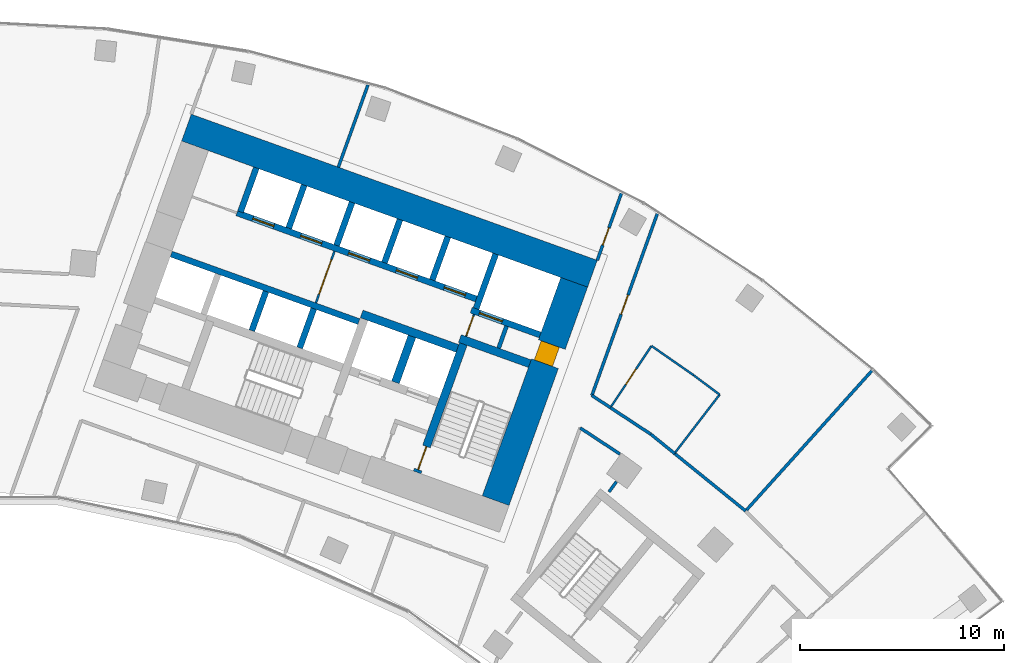
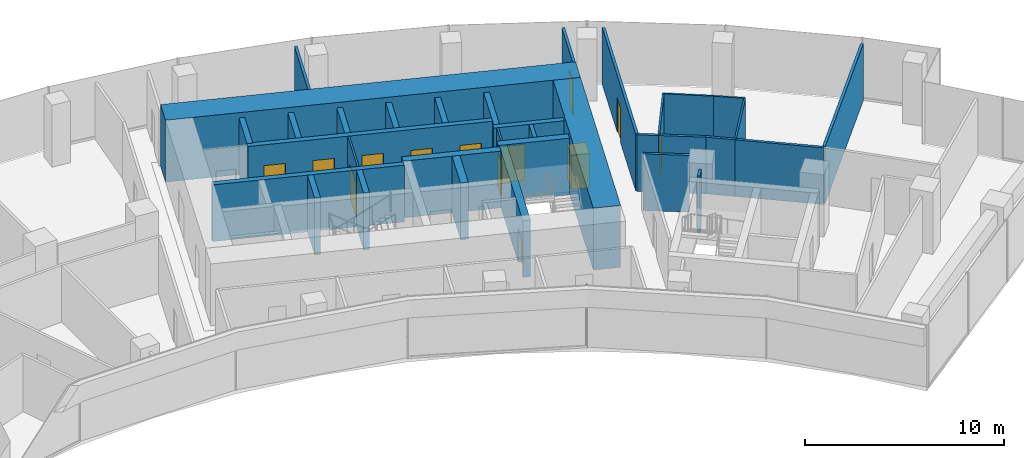
# One storey, part 17 of 20: 34 walls, 13 doors, 13 openings.
"""IFC4 building model written with IfcOpenShell, lengths in metres."""

from ifc_helpers import new_model, si_unit, direction, frame, frame_2d, origin, place, context, subcontext, project, spatial, rectangle, extrude, material, layer, layer_set, type_object, element, fill, save


model = new_model("IFC4")

# Units and contexts
model_context = context("Model", 3, precision=1e-05, world=origin(), true_north=direction((0.0, 1.0)))
body_context = subcontext(model_context, "Body", "Model", "MODEL_VIEW")
ifc_project = project(units=[si_unit("LENGTHUNIT", "METRE"), si_unit("AREAUNIT", "SQUARE_METRE"), si_unit("VOLUMEUNIT", "CUBIC_METRE"), si_unit("PLANEANGLEUNIT", "RADIAN"), si_unit("MASSUNIT", "GRAM", prefix="KILO")], contexts=[model_context])

# Site, building, storey
site_placement = place(None, origin())
site = spatial("IfcSite", under=ifc_project, at=site_placement, CompositionType="ELEMENT")
building_placement = place(site_placement, origin())
building = spatial("IfcBuilding", under=site, at=building_placement, Name="Stone Belt Terrace Tower", CompositionType="ELEMENT")
storey_placement = place(building_placement, frame((0.0, 0.0, 147.800048828125)))
storey = spatial("IfcBuildingStorey", under=building, at=storey_placement, Name="L35", CompositionType="ELEMENT", Elevation=147.800048828125)

# Wall, opening, door
ifc_material_1 = material(Name="Plasterboard partition")
ifc_layer_1 = layer(ifc_material_1, 0.10009765625)
ifc_layer_set_1 = layer_set([ifc_layer_1], Name="Core partition 100")
wall_type_1 = type_object("IfcWallType", Name="Core partition 100", PredefinedType="PARTITIONING", material=ifc_layer_set_1)
wall_1_placement = place(storey_placement, frame((24.555908203125, 51.10400390625, 0.0), z_axis=(0.0, 0.0, 1.0), x_axis=(0.338621735342, 0.94092258999, 0.0)))
wall_1 = element("IfcWall", 1, at=wall_1_placement, inside=storey, type_object=wall_type_1, Name="Core B wall", PredefinedType="PARTITIONING", context=body_context, shape_type="SweptSolid", body=[
    extrude(rectangle(XDim=1.14990234375, YDim=0.10009765625, at=frame_2d((0.574951171875, 0.0))), origin(), (0.0, 0.0, 1.0), 3.47998046875),
])
opening_1_placement = place(wall_1_placement, frame((0.050048828125, 0.0, 0.0)))
opening_1 = element("IfcOpeningElement", 2, at=opening_1_placement, cuts=wall_1, Name="Opening L35-C15", PredefinedType="OPENING", context=body_context, shape_type="SweptSolid", body=[
    extrude(rectangle(XDim=1.0, YDim=2.10009765625, at=frame_2d((0.5, 1.050048828125))), frame((0.0, 0.06005859375, 0.0), z_axis=(0.0, -1.0, 0.0), x_axis=(1.0, 0.0, 0.0)), (0.0, 0.0, 1.0), 0.1201171875),
])
ifc_material_2 = material(Name="Timber door leaf", Category="wood")
door_type_1 = type_object("IfcDoorType", Name="Core room door 1000", OperationType="SINGLE_SWING_LEFT", PredefinedType="DOOR", material=ifc_material_2)
door_1_placement = place(opening_1_placement, origin())
door_1 = element("IfcDoor", 3, at=door_1_placement, inside=storey, type_object=door_type_1, Name="Service lift lobby door core B", OperationType="SINGLE_SWING_RIGHT", OverallHeight=2.10009765625, OverallWidth=1.0, PredefinedType="DOOR", context=body_context, shape_type="SweptSolid", body=[
    extrude(rectangle(XDim=1.0, YDim=2.10009765625, at=frame_2d((0.5, 1.050048828125))), frame((0.0, 0.02490234375, 0.0), z_axis=(0.0, -1.0, 0.0), x_axis=(1.0, 0.0, 0.0)), (0.0, 0.0, 1.0), 0.050048828125),
])
fill(opening_1, door_1)

wall_2_placement = place(storey_placement, frame((17.17724609375, 52.749755859375, 0.0), z_axis=(0.0, 0.0, 1.0), x_axis=(0.338546555931, 0.940949642365, 0.0)))
wall_2 = element("IfcWall", 4, at=wall_2_placement, inside=storey, type_object=wall_type_1, Name="Core B wall", PredefinedType="PARTITIONING", context=body_context, shape_type="SweptSolid", body=[
    extrude(rectangle(XDim=2.699951171875, YDim=0.10009765625, at=frame_2d((1.35009765625, 0.0))), origin(), (0.0, 0.0, 1.0), 3.47998046875),
])
opening_2_placement = place(wall_2_placement, frame((0.449951171875, 0.0, 0.0)))
opening_2 = element("IfcOpeningElement", 5, at=opening_2_placement, cuts=wall_2, Name="Opening L35-C16", PredefinedType="OPENING", context=body_context, shape_type="SweptSolid", body=[
    extrude(rectangle(XDim=1.800048828125, YDim=2.10009765625, at=frame_2d((0.89990234375, 1.050048828125))), frame((0.0, 0.06005859375, 0.0), z_axis=(0.0, -1.0, 0.0), x_axis=(1.0, 0.0, 0.0)), (0.0, 0.0, 1.0), 0.1201171875),
])
ifc_material_3 = material(Name="Glazed aluminium door leaf", Category="aluminium")
door_type_2 = type_object("IfcDoorType", Name="Lift lobby entrance door 1800", OperationType="DOUBLE_DOOR_SINGLE_SWING", PredefinedType="DOOR", material=ifc_material_3)
door_2_placement = place(opening_2_placement, origin())
door_2 = element("IfcDoor", 6, at=door_2_placement, inside=storey, type_object=door_type_2, Name="Lift lobby double door core B", OperationType="DOUBLE_DOOR_SINGLE_SWING", OverallHeight=2.10009765625, OverallWidth=1.800048828125, PredefinedType="DOOR", context=body_context, shape_type="SweptSolid", body=[
    extrude(rectangle(XDim=1.800048828125, YDim=2.10009765625, at=frame_2d((0.89990234375, 1.050048828125))), frame((0.0, 0.02490234375, 0.0), z_axis=(0.0, -1.0, 0.0), x_axis=(1.0, 0.0, 0.0)), (0.0, 0.0, 1.0), 0.050048828125),
])
fill(opening_2, door_2)

# Wall
ifc_material_4 = material(Name="Concrete B80", Category="concrete")
ifc_layer_2 = layer(ifc_material_4, 1.39990234375)
ifc_layer_set_2 = layer_set([ifc_layer_2], Name="Core wall 1400 B80")
wall_type_2 = type_object("IfcWallType", Name="Core wall 1400 B80", PredefinedType="SHEAR", material=ifc_layer_set_2)
wall_3_placement = place(storey_placement, frame((10.81787109375, 61.362060546875, 0.0), z_axis=(0.0, 0.0, 1.0), x_axis=(0.940919704758, -0.338629752382, 0.0)))
element("IfcWall", 7, at=wall_3_placement, inside=storey, type_object=wall_type_2, Name="Core B wall convex L35", PredefinedType="SHEAR", context=body_context, shape_type="SweptSolid", body=[
    extrude(rectangle(XDim=21.199951171875, YDim=1.39990234375, at=frame_2d((10.60009765625, 0.0))), origin(), (0.0, 0.0, 1.0), 3.800048828125),
])

# Wall, opening, door
wall_4_placement = place(storey_placement, frame((26.00927734375, 43.03515625, 0.0), z_axis=(0.0, 0.0, 1.0), x_axis=(0.338625431531, 0.940921259788, 0.0)))
wall_4 = element("IfcWall", 8, at=wall_4_placement, inside=storey, type_object=wall_type_2, Name="Core B wall end_b L35", PredefinedType="SHEAR", context=body_context, shape_type="SweptSolid", body=[
    extrude(rectangle(XDim=11.400146484375, YDim=1.39990234375, at=frame_2d((5.7001953125, 0.0))), origin(), (0.0, 0.0, 1.0), 3.800048828125),
])
opening_3_placement = place(wall_4_placement, frame((7.14990234375, 0.0, 0.0)))
opening_3 = element("IfcOpeningElement", 9, at=opening_3_placement, cuts=wall_4, Name="Opening L35-C14", PredefinedType="OPENING", context=body_context, shape_type="SweptSolid", body=[
    extrude(rectangle(XDim=1.0, YDim=2.10009765625, at=frame_2d((0.5, 1.050048828125))), frame((0.0, 0.7099609375, 0.0), z_axis=(0.0, -1.0, 0.0), x_axis=(1.0, 0.0, 0.0)), (0.0, 0.0, 1.0), 1.419921875),
])
door_3_placement = place(opening_3_placement, origin())
door_3 = element("IfcDoor", 10, at=door_3_placement, inside=storey, type_object=door_type_1, Name="Door to Telecommunications riser room core B", OperationType="SINGLE_SWING_LEFT", OverallHeight=2.10009765625, OverallWidth=1.0, PredefinedType="DOOR", context=body_context, shape_type="SweptSolid", body=[
    extrude(rectangle(XDim=1.0, YDim=2.10009765625, at=frame_2d((0.5, 1.050048828125))), frame((0.0, 0.55517578125, 0.0), z_axis=(0.0, -1.0, 0.0), x_axis=(1.0, 0.0, 0.0)), (0.0, 0.0, 1.0), 0.949951171875),
])
fill(opening_3, door_3)

# Walls
ifc_layer_3 = layer(ifc_material_4, 0.39990234375)
ifc_layer_set_3 = layer_set([ifc_layer_3], Name="Fire-fighting lift shaft wall 400")
wall_type_3 = type_object("IfcWallType", Name="Fire-fighting lift shaft wall 400", PredefinedType="SHEAR", material=ifc_layer_set_3)
wall_5_placement = place(storey_placement, frame((24.130615234375, 50.512939453125, 0.0), z_axis=(0.0, 0.0, 1.0), x_axis=(-0.94091168377, 0.338652038744, 0.0)))
element("IfcWall", 11, at=wall_5_placement, inside=storey, type_object=wall_type_3, Name="Core B wall", PredefinedType="SHEAR", context=body_context, shape_type="SweptSolid", body=[
    extrude(rectangle(XDim=5.000244140625, YDim=0.39990234375, at=frame_2d((2.5, 0.0))), origin(), (0.0, 0.0, 1.0), 3.47998046875),
])
wall_6_placement = place(storey_placement, frame((21.0859375, 48.845458984375, 0.0), z_axis=(0.0, 0.0, 1.0), x_axis=(0.338629416206, 0.940919825745, 0.0)))
element("IfcWall", 12, at=wall_6_placement, inside=storey, type_object=wall_type_3, Name="Core B wall", PredefinedType="SHEAR", context=body_context, shape_type="SweptSolid", body=[
    extrude(rectangle(XDim=2.400146484375, YDim=0.39990234375, at=frame_2d((1.2001953125, 0.0))), origin(), (0.0, 0.0, 1.0), 3.47998046875),
])

# Wall, opening, door
ifc_layer_4 = layer(ifc_material_4, 0.300048828125)
ifc_layer_set_4 = layer_set([ifc_layer_4], Name="Lift shaft wall 300")
wall_type_4 = type_object("IfcWallType", Name="Lift shaft wall 300", PredefinedType="SHEAR", material=ifc_layer_set_4)
wall_7_placement = place(storey_placement, frame((28.195068359375, 51.17578125, 0.0), z_axis=(0.0, 0.0, 1.0), x_axis=(-0.940901243567, 0.338681044427, 0.0)))
wall_7 = element("IfcWall", 13, at=wall_7_placement, inside=storey, type_object=wall_type_4, Name="Core B wall", PredefinedType="SHEAR", context=body_context, shape_type="SweptSolid", body=[
    extrude(rectangle(XDim=3.599853515625, YDim=0.300048828125, at=frame_2d((1.7998046875, 0.0))), origin(), (0.0, 0.0, 1.0), 3.47998046875),
])
opening_4_placement = place(wall_7_placement, frame((1.969970703125, 0.0, 0.0)))
opening_4 = element("IfcOpeningElement", 14, at=opening_4_placement, cuts=wall_7, Name="Opening L35-LD16", PredefinedType="OPENING", context=body_context, shape_type="SweptSolid", body=[
    extrude(rectangle(XDim=1.199951171875, YDim=2.199951171875, at=frame_2d((0.60009765625, 1.10009765625))), frame((0.0, 0.159912109375, 0.0), z_axis=(0.0, -1.0, 0.0), x_axis=(1.0, 0.0, 0.0)), (0.0, 0.0, 1.0), 0.320068359375),
])
ifc_material_5 = material(Name="Stainless steel door leaf", Category="steel")
door_type_3 = type_object("IfcDoorType", Name="Landing door 1200", OperationType="SLIDING_TO_LEFT", PredefinedType="DOOR", material=ifc_material_5)
door_4_placement = place(opening_4_placement, origin())
door_4 = element("IfcDoor", 15, at=door_4_placement, inside=storey, type_object=door_type_3, Name="Landing door SV1 core B", OperationType="SLIDING_TO_LEFT", OverallHeight=2.199951171875, OverallWidth=1.199951171875, PredefinedType="DOOR", context=body_context, shape_type="SweptSolid", body=[
    extrude(rectangle(XDim=1.199951171875, YDim=2.199951171875, at=frame_2d((0.60009765625, 1.10009765625))), frame((0.0, 0.02490234375, 0.0), z_axis=(0.0, -1.0, 0.0), x_axis=(1.0, 0.0, 0.0)), (0.0, 0.0, 1.0), 0.050048828125),
])
fill(opening_4, door_4)

# Wall
wall_8_placement = place(storey_placement, frame((25.046875, 52.46826171875, 0.0), z_axis=(0.0, 0.0, 1.0), x_axis=(0.338549588058, 0.940948551423, 0.0)))
element("IfcWall", 16, at=wall_8_placement, inside=storey, type_object=wall_type_4, Name="Core B wall", PredefinedType="SHEAR", context=body_context, shape_type="SweptSolid", body=[
    extrude(rectangle(XDim=2.849853515625, YDim=0.300048828125, at=frame_2d((1.4248046875, 0.0))), origin(), (0.0, 0.0, 1.0), 3.47998046875),
])

# Wall, openings, doors
wall_9_placement = place(storey_placement, frame((25.05810546875, 52.9423828125, 0.0), z_axis=(0.0, 0.0, 1.0), x_axis=(-0.940920770291, 0.338626791666, 0.0)))
wall_9 = element("IfcWall", 17, at=wall_9_placement, inside=storey, type_object=wall_type_4, Name="Core B wall", PredefinedType="SHEAR", context=body_context, shape_type="SweptSolid", body=[
    extrude(rectangle(XDim=12.500244140625, YDim=0.300048828125, at=frame_2d((6.25, 0.0))), origin(), (0.0, 0.0, 1.0), 3.47998046875),
])
opening_5_placement = place(wall_9_placement, frame((0.570068359375, 0.0, 0.0)))
opening_5 = element("IfcOpeningElement", 18, at=opening_5_placement, cuts=wall_9, Name="Opening L35-LD09", PredefinedType="OPENING", context=body_context, shape_type="SweptSolid", body=[
    extrude(rectangle(XDim=1.10009765625, YDim=2.199951171875, at=frame_2d((0.550048828125, 1.10009765625))), frame((0.0, 0.159912109375, 0.0), z_axis=(0.0, -1.0, 0.0), x_axis=(1.0, 0.0, 0.0)), (0.0, 0.0, 1.0), 0.320068359375),
])
opening_6_placement = place(wall_9_placement, frame((3.070068359375, 0.0, 0.0)))
opening_6 = element("IfcOpeningElement", 19, at=opening_6_placement, cuts=wall_9, Name="Opening L35-LD10", PredefinedType="OPENING", context=body_context, shape_type="SweptSolid", body=[
    extrude(rectangle(XDim=1.10009765625, YDim=2.199951171875, at=frame_2d((0.550048828125, 1.10009765625))), frame((0.0, 0.159912109375, 0.0), z_axis=(0.0, -1.0, 0.0), x_axis=(1.0, 0.0, 0.0)), (0.0, 0.0, 1.0), 0.320068359375),
])
opening_7_placement = place(wall_9_placement, frame((5.570068359375, 0.0, 0.0)))
opening_7 = element("IfcOpeningElement", 20, at=opening_7_placement, cuts=wall_9, Name="Opening L35-LD11", PredefinedType="OPENING", context=body_context, shape_type="SweptSolid", body=[
    extrude(rectangle(XDim=1.10009765625, YDim=2.199951171875, at=frame_2d((0.550048828125, 1.10009765625))), frame((0.0, 0.159912109375, 0.0), z_axis=(0.0, -1.0, 0.0), x_axis=(1.0, 0.0, 0.0)), (0.0, 0.0, 1.0), 0.320068359375),
])
opening_8_placement = place(wall_9_placement, frame((8.070068359375, 0.0, 0.0)))
opening_8 = element("IfcOpeningElement", 21, at=opening_8_placement, cuts=wall_9, Name="Opening L35-LD12", PredefinedType="OPENING", context=body_context, shape_type="SweptSolid", body=[
    extrude(rectangle(XDim=1.10009765625, YDim=2.199951171875, at=frame_2d((0.550048828125, 1.10009765625))), frame((0.0, 0.159912109375, 0.0), z_axis=(0.0, -1.0, 0.0), x_axis=(1.0, 0.0, 0.0)), (0.0, 0.0, 1.0), 0.320068359375),
])
opening_9_placement = place(wall_9_placement, frame((10.570068359375, 0.0, 0.0)))
opening_9 = element("IfcOpeningElement", 22, at=opening_9_placement, cuts=wall_9, Name="Opening L35-LD13", PredefinedType="OPENING", context=body_context, shape_type="SweptSolid", body=[
    extrude(rectangle(XDim=1.10009765625, YDim=2.199951171875, at=frame_2d((0.550048828125, 1.10009765625))), frame((0.0, 0.159912109375, 0.0), z_axis=(0.0, -1.0, 0.0), x_axis=(1.0, 0.0, 0.0)), (0.0, 0.0, 1.0), 0.320068359375),
])
door_type_4 = type_object("IfcDoorType", Name="Landing door 1100", OperationType="SLIDING_TO_LEFT", PredefinedType="DOOR", material=ifc_material_5)
door_5_placement = place(opening_5_placement, origin())
door_5 = element("IfcDoor", 23, at=door_5_placement, inside=storey, type_object=door_type_4, Name="Landing door MR1 core B", OperationType="SLIDING_TO_LEFT", OverallHeight=2.199951171875, OverallWidth=1.10009765625, PredefinedType="DOOR", context=body_context, shape_type="SweptSolid", body=[
    extrude(rectangle(XDim=1.10009765625, YDim=2.199951171875, at=frame_2d((0.550048828125, 1.10009765625))), frame((0.0, 0.02490234375, 0.0), z_axis=(0.0, -1.0, 0.0), x_axis=(1.0, 0.0, 0.0)), (0.0, 0.0, 1.0), 0.050048828125),
])
fill(opening_5, door_5)
door_6_placement = place(opening_6_placement, origin())
door_6 = element("IfcDoor", 24, at=door_6_placement, inside=storey, type_object=door_type_4, Name="Landing door MR2 core B", OperationType="SLIDING_TO_LEFT", OverallHeight=2.199951171875, OverallWidth=1.10009765625, PredefinedType="DOOR", context=body_context, shape_type="SweptSolid", body=[
    extrude(rectangle(XDim=1.10009765625, YDim=2.199951171875, at=frame_2d((0.550048828125, 1.10009765625))), frame((0.0, 0.02490234375, 0.0), z_axis=(0.0, -1.0, 0.0), x_axis=(1.0, 0.0, 0.0)), (0.0, 0.0, 1.0), 0.050048828125),
])
fill(opening_6, door_6)
door_7_placement = place(opening_7_placement, origin())
door_7 = element("IfcDoor", 25, at=door_7_placement, inside=storey, type_object=door_type_4, Name="Landing door MR3 core B", OperationType="SLIDING_TO_LEFT", OverallHeight=2.199951171875, OverallWidth=1.10009765625, PredefinedType="DOOR", context=body_context, shape_type="SweptSolid", body=[
    extrude(rectangle(XDim=1.10009765625, YDim=2.199951171875, at=frame_2d((0.550048828125, 1.10009765625))), frame((0.0, 0.02490234375, 0.0), z_axis=(0.0, -1.0, 0.0), x_axis=(1.0, 0.0, 0.0)), (0.0, 0.0, 1.0), 0.050048828125),
])
fill(opening_7, door_7)
door_8_placement = place(opening_8_placement, origin())
door_8 = element("IfcDoor", 26, at=door_8_placement, inside=storey, type_object=door_type_4, Name="Landing door MR4 core B", OperationType="SLIDING_TO_LEFT", OverallHeight=2.199951171875, OverallWidth=1.10009765625, PredefinedType="DOOR", context=body_context, shape_type="SweptSolid", body=[
    extrude(rectangle(XDim=1.10009765625, YDim=2.199951171875, at=frame_2d((0.550048828125, 1.10009765625))), frame((0.0, 0.02490234375, 0.0), z_axis=(0.0, -1.0, 0.0), x_axis=(1.0, 0.0, 0.0)), (0.0, 0.0, 1.0), 0.050048828125),
])
fill(opening_8, door_8)
door_9_placement = place(opening_9_placement, origin())
door_9 = element("IfcDoor", 27, at=door_9_placement, inside=storey, type_object=door_type_4, Name="Landing door MR5 core B", OperationType="SLIDING_TO_LEFT", OverallHeight=2.199951171875, OverallWidth=1.10009765625, PredefinedType="DOOR", context=body_context, shape_type="SweptSolid", body=[
    extrude(rectangle(XDim=1.10009765625, YDim=2.199951171875, at=frame_2d((0.550048828125, 1.10009765625))), frame((0.0, 0.02490234375, 0.0), z_axis=(0.0, -1.0, 0.0), x_axis=(1.0, 0.0, 0.0)), (0.0, 0.0, 1.0), 0.050048828125),
])
fill(opening_9, door_9)

# Walls
wall_10_placement = place(storey_placement, frame((22.897705078125, 53.87939453125, 0.0), z_axis=(0.0, 0.0, 1.0), x_axis=(0.338535034312, 0.940953787677, 0.0)))
element("IfcWall", 28, at=wall_10_placement, inside=storey, type_object=wall_type_4, Name="Core B wall", PredefinedType="SHEAR", context=body_context, shape_type="SweptSolid", body=[
    extrude(rectangle(XDim=2.25, YDim=0.300048828125, at=frame_2d((1.125, 0.0))), origin(), (0.0, 0.0, 1.0), 3.47998046875),
])
wall_11_placement = place(storey_placement, frame((19.29052734375, 51.829833984375, 0.0), z_axis=(0.0, 0.0, 1.0), x_axis=(-0.940925833398, 0.338612722803, 0.0)))
element("IfcWall", 29, at=wall_11_placement, inside=storey, type_object=wall_type_4, Name="Core B wall", PredefinedType="SHEAR", context=body_context, shape_type="SweptSolid", body=[
    extrude(rectangle(XDim=9.7998046875, YDim=0.300048828125, at=frame_2d((4.89990234375, 0.0))), origin(), (0.0, 0.0, 1.0), 3.47998046875),
])
wall_12_placement = place(storey_placement, frame((20.54541015625, 54.72607421875, 0.0), z_axis=(0.0, 0.0, 1.0), x_axis=(0.338569601369, 0.940941350472, 0.0)))
element("IfcWall", 30, at=wall_12_placement, inside=storey, type_object=wall_type_4, Name="Core B wall", PredefinedType="SHEAR", context=body_context, shape_type="SweptSolid", body=[
    extrude(rectangle(XDim=2.249755859375, YDim=0.300048828125, at=frame_2d((1.125, 0.0))), origin(), (0.0, 0.0, 1.0), 3.47998046875),
])
wall_13_placement = place(storey_placement, frame((16.38134765625, 50.53857421875, 0.0), z_axis=(0.0, 0.0, 1.0), x_axis=(0.338681515556, 0.940901073982, 0.0)))
element("IfcWall", 31, at=wall_13_placement, inside=storey, type_object=wall_type_4, Name="Core B wall", PredefinedType="SHEAR", context=body_context, shape_type="SweptSolid", body=[
    extrude(rectangle(XDim=2.050048828125, YDim=0.300048828125, at=frame_2d((1.02490234375, 0.0))), origin(), (0.0, 0.0, 1.0), 3.47998046875),
])
wall_14_placement = place(storey_placement, frame((18.193115234375, 55.572509765625, 0.0), z_axis=(0.0, 0.0, 1.0), x_axis=(0.338535034312, 0.940953787677, 0.0)))
element("IfcWall", 32, at=wall_14_placement, inside=storey, type_object=wall_type_4, Name="Core B wall", PredefinedType="SHEAR", context=body_context, shape_type="SweptSolid", body=[
    extrude(rectangle(XDim=2.25, YDim=0.300048828125, at=frame_2d((1.125, 0.0))), origin(), (0.0, 0.0, 1.0), 3.47998046875),
])
wall_15_placement = place(storey_placement, frame((14.029052734375, 51.38525390625, 0.0), z_axis=(0.0, 0.0, 1.0), x_axis=(0.338681515556, 0.940901073982, 0.0)))
element("IfcWall", 33, at=wall_15_placement, inside=storey, type_object=wall_type_4, Name="Core B wall", PredefinedType="SHEAR", context=body_context, shape_type="SweptSolid", body=[
    extrude(rectangle(XDim=2.050048828125, YDim=0.300048828125, at=frame_2d((1.02490234375, 0.0))), origin(), (0.0, 0.0, 1.0), 3.47998046875),
])
wall_16_placement = place(storey_placement, frame((15.8408203125, 56.419189453125, 0.0), z_axis=(0.0, 0.0, 1.0), x_axis=(0.338569601369, 0.940941350472, 0.0)))
element("IfcWall", 34, at=wall_16_placement, inside=storey, type_object=wall_type_4, Name="Core B wall", PredefinedType="SHEAR", context=body_context, shape_type="SweptSolid", body=[
    extrude(rectangle(XDim=2.249755859375, YDim=0.300048828125, at=frame_2d((1.125, 0.0))), origin(), (0.0, 0.0, 1.0), 3.47998046875),
])
wall_17_placement = place(storey_placement, frame((13.471435546875, 57.218505859375, 0.0), z_axis=(0.0, 0.0, 1.0), x_axis=(0.338587917, 0.940934759939, 0.0)))
element("IfcWall", 35, at=wall_17_placement, inside=storey, type_object=wall_type_4, Name="Core B wall", PredefinedType="SHEAR", context=body_context, shape_type="SweptSolid", body=[
    extrude(rectangle(XDim=2.300048828125, YDim=0.300048828125, at=frame_2d((1.14990234375, 0.0))), origin(), (0.0, 0.0, 1.0), 3.47998046875),
])
ifc_material_6 = material(Name="Gypsum board partition")
ifc_layer_5 = layer(ifc_material_6, 0.10009765625)
ifc_layer_set_5 = layer_set([ifc_layer_5], Name="PARTITION 100")
wall_type_5 = type_object("IfcWallType", Name="PARTITION 100", PredefinedType="PARTITIONING", material=ifc_layer_set_5)
wall_18_placement = place(storey_placement, frame((34.797119140625, 45.35595703125, 0.0), z_axis=(0.0, 0.0, 1.0), x_axis=(0.608731416363, 0.793376368902, 0.0)))
element("IfcWall", 36, at=wall_18_placement, inside=storey, type_object=wall_type_5, Name="L35/wall/i075", PredefinedType="PARTITIONING", context=body_context, shape_type="SweptSolid", body=[
    extrude(rectangle(XDim=3.64013671875, YDim=0.10009765625, at=frame_2d((1.820068359375, 0.0))), origin(), (0.0, 0.0, 1.0), 3.47998046875),
])
wall_19_placement = place(storey_placement, frame((37.012939453125, 48.243896484375, 0.0), z_axis=(0.0, 0.0, 1.0), x_axis=(-0.801142595799, 0.598473509185, 0.0)))
element("IfcWall", 37, at=wall_19_placement, inside=storey, type_object=wall_type_5, Name="L35/wall/i076", PredefinedType="PARTITIONING", context=body_context, shape_type="SweptSolid", body=[
    extrude(rectangle(XDim=1.587646484375, YDim=0.10009765625, at=frame_2d((0.7939453125, 0.0))), origin(), (0.0, 0.0, 1.0), 3.47998046875),
])
wall_20_placement = place(storey_placement, frame((35.740966796875, 49.194091796875, 0.0), z_axis=(0.0, 0.0, 1.0), x_axis=(-0.821137394725, 0.570730566015, 0.0)))
element("IfcWall", 38, at=wall_20_placement, inside=storey, type_object=wall_type_5, Name="L35/wall/i077", PredefinedType="PARTITIONING", context=body_context, shape_type="SweptSolid", body=[
    extrude(rectangle(XDim=2.528076171875, YDim=0.10009765625, at=frame_2d((1.26416015625, 0.0))), origin(), (0.0, 0.0, 1.0), 3.47998046875),
])

# Wall, opening, door
wall_21_placement = place(storey_placement, frame((33.6650390625, 50.636962890625, 0.0), z_axis=(0.0, 0.0, 1.0), x_axis=(-0.553585865101, -0.832792104886, 0.0)))
wall_21 = element("IfcWall", 39, at=wall_21_placement, inside=storey, type_object=wall_type_5, Name="L35/wall/i078", PredefinedType="PARTITIONING", context=body_context, shape_type="SweptSolid", body=[
    extrude(rectangle(XDim=3.641845703125, YDim=0.10009765625, at=frame_2d((1.82080078125, 0.0))), origin(), (0.0, 0.0, 1.0), 3.47998046875),
])
opening_10_placement = place(wall_21_placement, frame((1.370849609375, 0.0, 0.0)))
opening_10 = element("IfcOpeningElement", 40, at=opening_10_placement, cuts=wall_21, Name="Opening D-C1-24", PredefinedType="OPENING", context=body_context, shape_type="SweptSolid", body=[
    extrude(rectangle(XDim=0.89990234375, YDim=2.10009765625, at=frame_2d((0.449951171875, 1.050048828125))), frame((0.0, 0.06005859375, 0.0), z_axis=(0.0, -1.0, 0.0), x_axis=(1.0, 0.0, 0.0)), (0.0, 0.0, 1.0), 0.1201171875),
])
door_type_5 = type_object("IfcDoorType", Name="OFFICE DOOR 900 X 2100", OperationType="NOTDEFINED", PredefinedType="DOOR", material=ifc_material_2)
door_10_placement = place(opening_10_placement, origin())
door_10 = element("IfcDoor", 41, at=door_10_placement, inside=storey, type_object=door_type_5, Name="L35/door/i24", OperationType="SINGLE_SWING_RIGHT", OverallHeight=2.10009765625, OverallWidth=0.89990234375, PredefinedType="DOOR", context=body_context, shape_type="SweptSolid", body=[
    extrude(rectangle(XDim=0.89990234375, YDim=2.10009765625, at=frame_2d((0.449951171875, 1.050048828125))), frame((0.0, 0.02490234375, 0.0), z_axis=(0.0, -1.0, 0.0), x_axis=(1.0, 0.0, 0.0)), (0.0, 0.0, 1.0), 0.050048828125),
])
fill(opening_10, door_10)

ifc_layer_6 = layer(ifc_material_6, 0.14990234375)
ifc_layer_set_6 = layer_set([ifc_layer_6], Name="PARTITION 150 EI 60")
wall_type_6 = type_object("IfcWallType", Name="PARTITION 150 EI 60", PredefinedType="PARTITIONING", material=ifc_layer_set_6)
wall_22_placement = place(storey_placement, frame((31.001953125, 54.842041015625, 0.0), z_axis=(0.0, 0.0, 1.0), x_axis=(0.338662585219, 0.940907887826, 0.0)))
wall_22 = element("IfcWall", 42, at=wall_22_placement, inside=storey, type_object=wall_type_6, Name="L35/wall/i027", PredefinedType="PARTITIONING", context=body_context, shape_type="SweptSolid", body=[
    extrude(rectangle(XDim=3.49560546875, YDim=0.14990234375, at=frame_2d((1.747802734375, 0.0))), origin(), (0.0, 0.0, 1.0), 3.47998046875),
])
opening_11_placement = place(wall_22_placement, frame((0.798828125, 0.0, 0.0)))
opening_11 = element("IfcOpeningElement", 43, at=opening_11_placement, cuts=wall_22, Name="Opening D-C1-12", PredefinedType="OPENING", context=body_context, shape_type="SweptSolid", body=[
    extrude(rectangle(XDim=0.89990234375, YDim=2.10009765625, at=frame_2d((0.449951171875, 1.050048828125))), frame((0.0, 0.0849609375, 0.0), z_axis=(0.0, -1.0, 0.0), x_axis=(1.0, 0.0, 0.0)), (0.0, 0.0, 1.0), 0.169921875),
])
door_11_placement = place(opening_11_placement, origin())
door_11 = element("IfcDoor", 44, at=door_11_placement, inside=storey, type_object=door_type_5, Name="L35/door/i12", OperationType="SINGLE_SWING_LEFT", OverallHeight=2.10009765625, OverallWidth=0.89990234375, PredefinedType="DOOR", context=body_context, shape_type="SweptSolid", body=[
    extrude(rectangle(XDim=0.89990234375, YDim=2.10009765625, at=frame_2d((0.449951171875, 1.050048828125))), frame((0.0, 0.02490234375, 0.0), z_axis=(0.0, -1.0, 0.0), x_axis=(1.0, 0.0, 0.0)), (0.0, 0.0, 1.0), 0.050048828125),
])
fill(opening_11, door_11)

wall_23_placement = place(storey_placement, frame((33.951904296875, 57.131103515625, 0.0), z_axis=(0.0, 0.0, 1.0), x_axis=(-0.338586530295, -0.940935258933, 0.0)))
wall_23 = element("IfcWall", 45, at=wall_23_placement, inside=storey, type_object=wall_type_6, Name="L35/wall/i031", PredefinedType="PARTITIONING", context=body_context, shape_type="SweptSolid", body=[
    extrude(rectangle(XDim=9.494873046875, YDim=0.14990234375, at=frame_2d((4.74755859375, 0.0))), origin(), (0.0, 0.0, 1.0), 3.47998046875),
])
opening_12_placement = place(wall_23_placement, frame((4.24755859375, 0.0, 0.0)))
opening_12 = element("IfcOpeningElement", 46, at=opening_12_placement, cuts=wall_23, Name="Opening D-C1-23", PredefinedType="OPENING", context=body_context, shape_type="SweptSolid", body=[
    extrude(rectangle(XDim=1.0, YDim=2.10009765625, at=frame_2d((0.5, 1.050048828125))), frame((0.0, 0.0849609375, 0.0), z_axis=(0.0, -1.0, 0.0), x_axis=(1.0, 0.0, 0.0)), (0.0, 0.0, 1.0), 0.169921875),
])
ifc_material_7 = material(Name="Timber fire door leaf", Category="wood")
door_type_6 = type_object("IfcDoorType", Name="TENANCY ENTRANCE DOOR 1000 X 2100", OperationType="NOTDEFINED", PredefinedType="DOOR", material=ifc_material_7)
door_12_placement = place(opening_12_placement, origin())
door_12 = element("IfcDoor", 47, at=door_12_placement, inside=storey, type_object=door_type_6, Name="L35/door/i23", OperationType="SINGLE_SWING_RIGHT", OverallHeight=2.10009765625, OverallWidth=1.0, PredefinedType="DOOR", context=body_context, shape_type="SweptSolid", body=[
    extrude(rectangle(XDim=1.0, YDim=2.10009765625, at=frame_2d((0.5, 1.050048828125))), frame((0.0, 0.02490234375, 0.0), z_axis=(0.0, -1.0, 0.0), x_axis=(1.0, 0.0, 0.0)), (0.0, 0.0, 1.0), 0.050048828125),
])
fill(opening_12, door_12)

# Walls
wall_24_placement = place(storey_placement, frame((19.73583984375, 63.463134765625, 0.0), z_axis=(0.0, 0.0, 1.0), x_axis=(-0.338570581803, -0.940940997692, 0.0)))
element("IfcWall", 48, at=wall_24_placement, inside=storey, type_object=wall_type_6, Name="L35/wall/i039", PredefinedType="PARTITIONING", context=body_context, shape_type="SweptSolid", body=[
    extrude(rectangle(XDim=4.296875, YDim=0.14990234375, at=frame_2d((2.1484375, 0.0))), origin(), (0.0, 0.0, 1.0), 3.47998046875),
])
wall_25_placement = place(storey_placement, frame((31.580078125, 43.466064453125, 0.0), z_axis=(0.0, 0.0, 1.0), x_axis=(0.58798371838, 0.808872763121, 0.0)))
element("IfcWall", 49, at=wall_25_placement, inside=storey, type_object=wall_type_6, Name="L35/wall/i065", PredefinedType="PARTITIONING", context=body_context, shape_type="SweptSolid", body=[
    extrude(rectangle(XDim=0.617919921875, YDim=0.14990234375, at=frame_2d((0.30908203125, 0.0))), origin(), (0.0, 0.0, 1.0), 3.47998046875),
])
wall_26_placement = place(storey_placement, frame((32.1181640625, 45.321044921875, 0.0), z_axis=(0.0, 0.0, 1.0), x_axis=(-0.835424653074, 0.549604993641, 0.0)))
element("IfcWall", 50, at=wall_26_placement, inside=storey, type_object=wall_type_6, Name="L35/wall/i066", PredefinedType="PARTITIONING", context=body_context, shape_type="SweptSolid", body=[
    extrude(rectangle(XDim=2.337890625, YDim=0.14990234375, at=frame_2d((1.1689453125, 0.0))), origin(), (0.0, 0.0, 1.0), 3.47998046875),
])
wall_27_placement = place(storey_placement, frame((30.739013671875, 48.202880859375, 0.0), z_axis=(0.0, 0.0, 1.0), x_axis=(0.835497879761, -0.549493669586, 0.0)))
element("IfcWall", 51, at=wall_27_placement, inside=storey, type_object=wall_type_6, Name="L35/wall/i068", PredefinedType="PARTITIONING", context=body_context, shape_type="SweptSolid", body=[
    extrude(rectangle(XDim=1.09521484375, YDim=0.14990234375, at=frame_2d((0.547607421875, 0.0))), origin(), (0.0, 0.0, 1.0), 3.47998046875),
])
wall_28_placement = place(storey_placement, frame((34.7919921875, 45.35888671875, 0.0), z_axis=(0.0, 0.0, 1.0), x_axis=(0.777241080883, -0.629202910187, 0.0)))
element("IfcWall", 52, at=wall_28_placement, inside=storey, type_object=wall_type_6, Name="L35/wall/i069", PredefinedType="PARTITIONING", context=body_context, shape_type="SweptSolid", body=[
    extrude(rectangle(XDim=4.50048828125, YDim=0.14990234375, at=frame_2d((2.250244140625, 0.0))), origin(), (0.0, 0.0, 1.0), 3.47998046875),
])
wall_29_placement = place(storey_placement, frame((31.64404296875, 47.60693359375, 0.0), z_axis=(0.0, 0.0, 1.0), x_axis=(0.835311916735, -0.549776319753, 0.0)))
element("IfcWall", 53, at=wall_29_placement, inside=storey, type_object=wall_type_6, Name="L35/wall/i070", PredefinedType="PARTITIONING", context=body_context, shape_type="SweptSolid", body=[
    extrude(rectangle(XDim=2.384765625, YDim=0.14990234375, at=frame_2d((1.1923828125, 0.0))), origin(), (0.0, 0.0, 1.0), 3.47998046875),
])
wall_30_placement = place(storey_placement, frame((33.635986328125, 46.2958984375, 0.0), z_axis=(0.0, 0.0, 1.0), x_axis=(0.777009721249, -0.629488596469, 0.0)))
element("IfcWall", 54, at=wall_30_placement, inside=storey, type_object=wall_type_6, Name="L35/wall/i071", PredefinedType="PARTITIONING", context=body_context, shape_type="SweptSolid", body=[
    extrude(rectangle(XDim=1.499267578125, YDim=0.14990234375, at=frame_2d((0.74951171875, 0.0))), origin(), (0.0, 0.0, 1.0), 3.47998046875),
])
wall_31_placement = place(storey_placement, frame((44.496826171875, 49.41943359375, 0.0), z_axis=(0.0, 0.0, 1.0), x_axis=(-0.669060704206, -0.743207759706, 0.0)))
element("IfcWall", 55, at=wall_31_placement, inside=storey, type_object=wall_type_6, Name="L35/wall/i079", PredefinedType="PARTITIONING", context=body_context, shape_type="SweptSolid", body=[
    extrude(rectangle(XDim=9.275390625, YDim=0.14990234375, at=frame_2d((4.6376953125, 0.0))), origin(), (0.0, 0.0, 1.0), 3.47998046875),
])
ifc_material_8 = material(Name="Concrete masonry block", Category="masonry")
ifc_layer_7 = layer(ifc_material_8, 0.199951171875)
ifc_layer_set_7 = layer_set([ifc_layer_7], Name="Rated lobby wall 200")
wall_type_7 = type_object("IfcWallType", Name="Rated lobby wall 200", PredefinedType="PARTITIONING", material=ifc_layer_set_7)
wall_32_placement = place(storey_placement, frame((26.1552734375, 50.5283203125, 0.0), z_axis=(0.0, 0.0, 1.0), x_axis=(0.338621735342, 0.94092258999, 0.0)))
element("IfcWall", 56, at=wall_32_placement, inside=storey, type_object=wall_type_7, Name="Core B wall", PredefinedType="PARTITIONING", context=body_context, shape_type="SweptSolid", body=[
    extrude(rectangle(XDim=1.14990234375, YDim=0.199951171875, at=frame_2d((0.574951171875, 0.0))), origin(), (0.0, 0.0, 1.0), 3.47998046875),
])
ifc_layer_8 = layer(ifc_material_4, 0.39990234375)
ifc_layer_set_8 = layer_set([ifc_layer_8], Name="Stair enclosure wall 400")
wall_type_8 = type_object("IfcWallType", Name="Stair enclosure wall 400", PredefinedType="SHEAR", material=ifc_layer_set_8)
wall_33_placement = place(storey_placement, frame((27.687255859375, 49.764404296875, 0.0), z_axis=(0.0, 0.0, 1.0), x_axis=(-0.940918954884, 0.338631835981, 0.0)))
element("IfcWall", 57, at=wall_33_placement, inside=storey, type_object=wall_type_8, Name="Core B wall", PredefinedType="SHEAR", context=body_context, shape_type="SweptSolid", body=[
    extrude(rectangle(XDim=3.650146484375, YDim=0.39990234375, at=frame_2d((1.8251953125, 0.0))), origin(), (0.0, 0.0, 1.0), 3.47998046875),
])

# Wall, opening, door
wall_34_placement = place(storey_placement, frame((22.151611328125, 44.42333984375, 0.0), z_axis=(0.0, 0.0, 1.0), x_axis=(0.338625272931, 0.940921316866, 0.0)))
wall_34 = element("IfcWall", 58, at=wall_34_placement, inside=storey, type_object=wall_type_8, Name="Core B wall", PredefinedType="SHEAR", context=body_context, shape_type="SweptSolid", body=[
    extrude(rectangle(XDim=6.699951171875, YDim=0.39990234375, at=frame_2d((3.35009765625, 0.0))), origin(), (0.0, 0.0, 1.0), 3.47998046875),
])
opening_13_placement = place(wall_34_placement, frame((0.14990234375, 0.0, 0.0)))
opening_13 = element("IfcOpeningElement", 59, at=opening_13_placement, cuts=wall_34, Name="Opening L35-C18", PredefinedType="OPENING", context=body_context, shape_type="SweptSolid", body=[
    extrude(rectangle(XDim=1.199951171875, YDim=2.10009765625, at=frame_2d((0.60009765625, 1.050048828125))), frame((0.0, 0.2099609375, 0.0), z_axis=(0.0, -1.0, 0.0), x_axis=(1.0, 0.0, 0.0)), (0.0, 0.0, 1.0), 0.419921875),
])
ifc_material_9 = material(Name="Steel door leaf", Category="steel")
door_type_7 = type_object("IfcDoorType", Name="Stair door 1200", OperationType="SINGLE_SWING_LEFT", PredefinedType="DOOR", material=ifc_material_9)
door_13_placement = place(opening_13_placement, origin())
door_13 = element("IfcDoor", 60, at=door_13_placement, inside=storey, type_object=door_type_7, Name="Stair 1 door core B", OperationType="SINGLE_SWING_RIGHT", OverallHeight=2.10009765625, OverallWidth=1.199951171875, PredefinedType="DOOR", context=body_context, shape_type="SweptSolid", body=[
    extrude(rectangle(XDim=1.199951171875, YDim=2.10009765625, at=frame_2d((0.60009765625, 1.050048828125))), frame((0.0, 0.02490234375, 0.0), z_axis=(0.0, -1.0, 0.0), x_axis=(1.0, 0.0, 0.0)), (0.0, 0.0, 1.0), 0.050048828125),
])
fill(opening_13, door_13)

save(model, "model.ifc")
